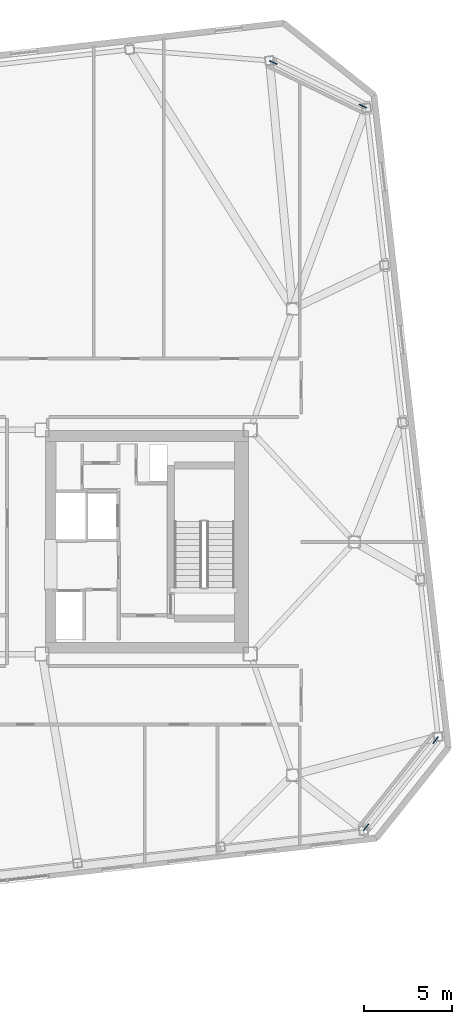
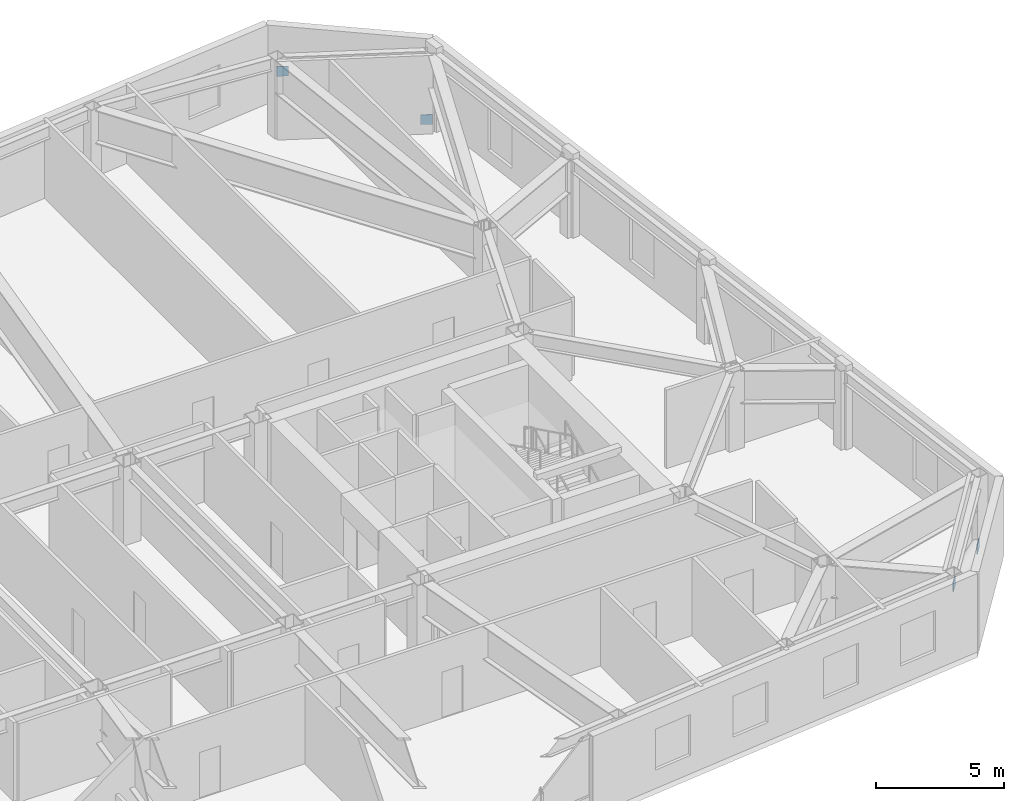
# One storey, part 17 of 18: 4 discrete accessories.
"""IFC4 building model written with IfcOpenShell, lengths in metres."""

from ifc_helpers import new_model, si_unit, direction, frame, origin, origin_2d, place, context, subcontext, project, spatial, rectangle, extrude, material, type_object, element, save


model = new_model("IFC4")

# Units and contexts
model_context = context("Model", 3, precision=1e-05, world=origin(), true_north=direction((0.0, 1.0)))
body_context = subcontext(model_context, "Body", "Model", "MODEL_VIEW")
ifc_project = project(units=[si_unit("LENGTHUNIT", "METRE"), si_unit("AREAUNIT", "SQUARE_METRE"), si_unit("VOLUMEUNIT", "CUBIC_METRE"), si_unit("PLANEANGLEUNIT", "RADIAN"), si_unit("MASSUNIT", "GRAM", prefix="KILO")], contexts=[model_context])

# Site, building, storey
site_placement = place(None, origin())
site = spatial("IfcSite", under=ifc_project, at=site_placement, CompositionType="ELEMENT")
building_placement = place(site_placement, origin())
building = spatial("IfcBuilding", under=site, at=building_placement, Name="Tavrogorsk Clinical Tower", CompositionType="ELEMENT")
storey_placement = place(building_placement, frame((0.0, 0.0, 222.199951171875)))
storey = spatial("IfcBuildingStorey", under=building, at=storey_placement, Name="L51", CompositionType="ELEMENT", Elevation=222.199951171875)

# Discrete accessories
ifc_material = material(Name="Structural steel S440", Category="steel")
discrete_accessory_type = type_object("IfcDiscreteAccessoryType", Name="GussetPlateBracket_25", PredefinedType="BRACKET", material=ifc_material)
for number, where, z_axis, x_axis, name in (
    (1, (32.5859375, -11.2197265625, 0.168212890625), (0.0, 0.0, 1.0), (-0.622514636638, -0.782608156852, 0.0), "L51 Brace Gusset Plate EXOCRN-L51-1-A"),
    (2, (28.6572265625, -16.15869140625, 2.761962890625), (0.0, 0.0, 1.0), (-0.622514636638, -0.782608156852, 0.0), "L51 Brace Gusset Plate EXOCRN-L51-1-B"),
    (3, (28.46630859375, 24.679443359375, 0.17724609375), (0.0, 0.0, 1.0), (-0.898794046299, 0.438371146789, 0.0), "L51 Brace Gusset Plate EXOCRN-L51-2-A"),
    (4, (23.399169921875, 27.150634765625, 2.7529296875), (0.0, 0.0, 1.0), (-0.898794046299, 0.438371146789, 0.0), "L51 Brace Gusset Plate EXOCRN-L51-2-B"),
):
    element("IfcDiscreteAccessory", number, at=place(storey_placement, frame(where, z_axis=z_axis, x_axis=x_axis)), inside=storey, type_object=discrete_accessory_type, Name=name, PredefinedType="BRACKET", context=body_context, shape_type="SweptSolid", body=[
        extrude(rectangle(XDim=0.4599609375, YDim=0.0400390625, at=origin_2d()), origin(), (0.0, 0.0, 1.0), 0.4599609375),
    ])

save(model, "model.ifc")
